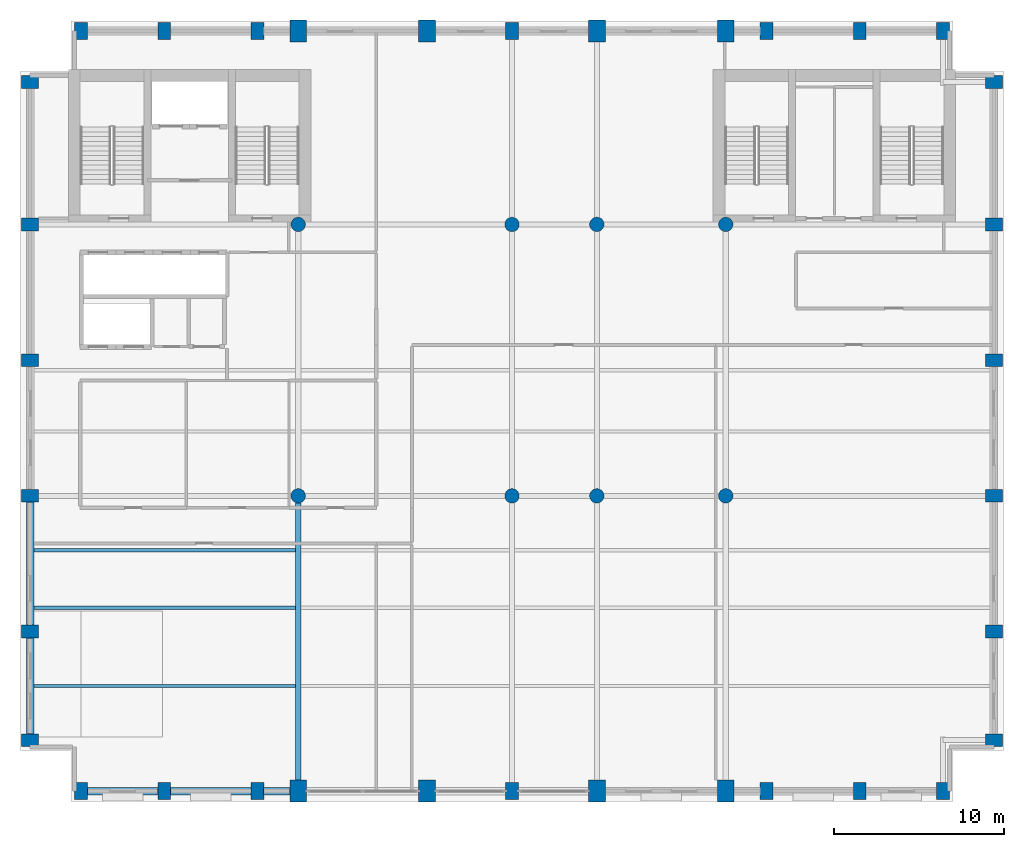
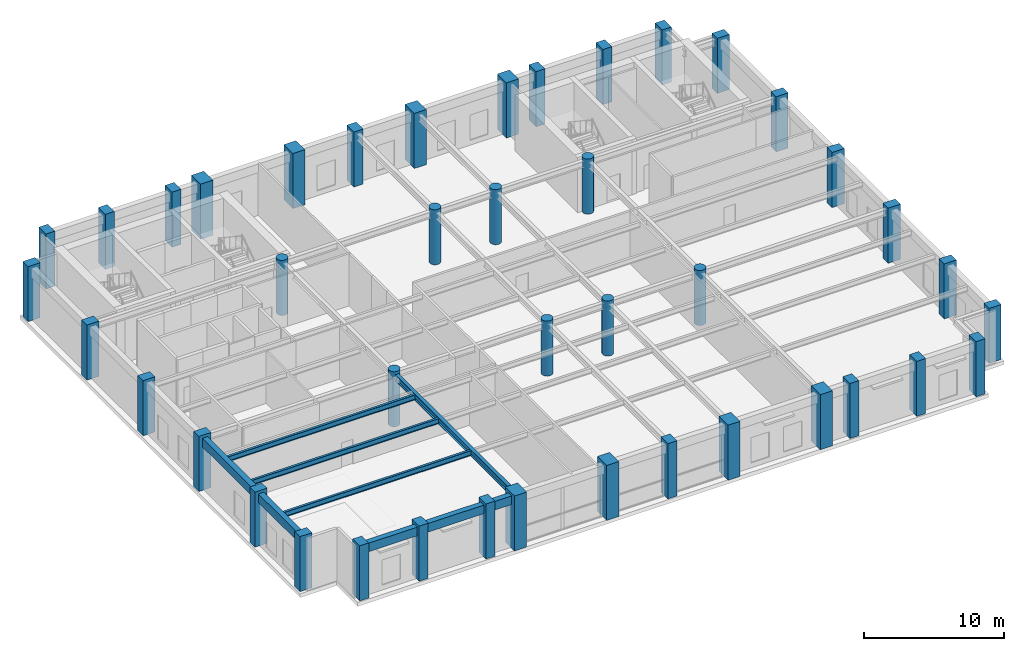
# One storey, part 1 of 10: 42 columns, 9 beams.
"""IFC4 building model written with IfcOpenShell, lengths in metres."""

import ifcopenshell
import ifcopenshell.guid

model = None  # the IFC model being written
_history = None  # IfcOwnerHistory: only IFC2X3 demands one
_inside = {}  # id of a spatial element -> (the spatial element, [elements in it])
_under = {}  # id of a project, library or spatial element -> (it, [spatial elements below it])
_declared = {}  # id of a project -> (the project, [libraries it declares])
_typed = {}  # id of a type object -> (the type object, [elements of that type])
_made_of = {}  # id of a material, layer set ... -> (it, [elements and type objects made of it])


def new_model(schema):
    """Start an empty IFC model of exactly this schema.

    Asked for "IFC4X3", IfcOpenShell would pick the latest addendum, in which some entities
    have other attributes; the version numbers below select the first issue.
    IFC2X3 requires an IfcOwnerHistory on every rooted entity: one is made here for all.
    """
    global model, _history
    if schema == "IFC4X3":
        model = ifcopenshell.file(schema_version=(4, 3, 0, 0))
    else:
        model = ifcopenshell.file(schema=schema)
    _inside.clear()
    _under.clear()
    _declared.clear()
    _typed.clear()
    _made_of.clear()
    _history = None
    if model.schema == "IFC2X3":
        org = make("IfcOrganization", Name="unknown")
        user = make(
            "IfcPersonAndOrganization",
            ThePerson=make("IfcPerson", FamilyName="unknown"),
            TheOrganization=org,
        )
        app = make(
            "IfcApplication",
            ApplicationDeveloper=org,
            Version="unknown",
            ApplicationFullName="unknown",
            ApplicationIdentifier="unknown",
        )
        _history = make(
            "IfcOwnerHistory",
            OwningUser=user,
            OwningApplication=app,
            ChangeAction="ADDED",
            CreationDate=0,
        )
    return model


def make(cls, **values):
    """One entity of the class cls with the attributes given. An attribute that is None is left unset."""
    return model.create_entity(
        cls, **{name: value for name, value in values.items() if value is not None}
    )


def rooted(cls, **values):
    """An entity with a GlobalId (a new one), such as an element, a storey or a relation."""
    return make(cls, GlobalId=ifcopenshell.guid.new(), OwnerHistory=_history, **values)


def si_unit(unit_type, name, prefix=None):
    """IfcSIUnit, for example si_unit("LENGTHUNIT", "METRE", prefix="MILLI")."""
    return make("IfcSIUnit", UnitType=unit_type, Prefix=prefix, Name=name)


def assignment(units):
    """IfcUnitAssignment: the units of a project."""
    return None if units is None else make("IfcUnitAssignment", Units=units)


def point(xyz):
    """IfcCartesianPoint."""
    return None if xyz is None else make("IfcCartesianPoint", Coordinates=xyz)


def direction(xyz):
    """IfcDirection."""
    return None if xyz is None else make("IfcDirection", DirectionRatios=xyz)


def frame(location, z_axis=None, x_axis=None):
    """IfcAxis2Placement3D, a coordinate frame: its origin and axes. An axis left out is left unset."""
    return make(
        "IfcAxis2Placement3D",
        Location=point(location),
        Axis=direction(z_axis),
        RefDirection=direction(x_axis),
    )


def frame_2d(location, x_axis=None):
    """IfcAxis2Placement2D, a coordinate frame in the plane: its origin and x axis."""
    return make(
        "IfcAxis2Placement2D", Location=point(location), RefDirection=direction(x_axis)
    )


def origin():
    """The frame at (0, 0, 0) with its axes left unset."""
    return frame((0.0, 0.0, 0.0))


def origin_2d():
    """The frame at (0, 0) in the plane with its x axis left unset."""
    return frame_2d((0.0, 0.0))


def place(relative_to, where):
    """IfcLocalPlacement: puts the frame where relative to a parent placement (None: the world)."""
    return make(
        "IfcLocalPlacement", PlacementRelTo=relative_to, RelativePlacement=where
    )


def context(
    kind, dimensions, precision=None, world=None, true_north=None, identifier=None
):
    """IfcGeometricRepresentationContext, for example the 3D "Model" context."""
    return make(
        "IfcGeometricRepresentationContext",
        ContextIdentifier=identifier,
        ContextType=kind,
        CoordinateSpaceDimension=dimensions,
        Precision=precision,
        WorldCoordinateSystem=world,
        TrueNorth=true_north,
    )


def subcontext(parent, identifier, kind, view, scale=None):
    """IfcGeometricRepresentationSubContext, for example "Body" below "Model"."""
    return make(
        "IfcGeometricRepresentationSubContext",
        ContextIdentifier=identifier,
        ContextType=kind,
        ParentContext=parent,
        TargetScale=scale,
        TargetView=view,
    )


def project(units=None, contexts=None):
    """IfcProject with its units and contexts."""
    return rooted(
        "IfcProject",
        Name="project",
        RepresentationContexts=contexts,
        UnitsInContext=assignment(units),
    )


def spatial(cls, under=None, at=None, **own):
    """A site, building, storey or space (cls), placed at a placement, below another one or the project."""
    s = rooted(cls, ObjectPlacement=at, **own)
    if under is not None:
        _under.setdefault(under.id(), (under, []))[1].append(s)
    return s


def profile(cls, at=None, kind="AREA", **sizes):
    """A parametric profile (cls). Its sizes go by their IFC names, for example OverallWidth=200.0."""
    return make(cls, ProfileType=kind, Position=at, **sizes)


def rectangle(**sizes):
    """IfcRectangleProfileDef."""
    return profile("IfcRectangleProfileDef", **sizes)


def circle(**sizes):
    """IfcCircleProfileDef."""
    return profile("IfcCircleProfileDef", **sizes)


def i_section(**sizes):
    """IfcIShapeProfileDef."""
    return profile("IfcIShapeProfileDef", **sizes)


def extrude(swept, where, along, depth):
    """IfcExtrudedAreaSolid: the profile swept, set in the frame where, extruded along a direction by depth."""
    return make(
        "IfcExtrudedAreaSolid",
        SweptArea=swept,
        Position=where,
        ExtrudedDirection=direction(along),
        Depth=depth,
    )


def shape(context_of_items, identifier, shape_type, items):
    """IfcShapeRepresentation: the items that make up one representation, for example the "Body"."""
    return make(
        "IfcShapeRepresentation",
        ContextOfItems=context_of_items,
        RepresentationIdentifier=identifier,
        RepresentationType=shape_type,
        Items=items,
    )


def material(Name=None, Category=None):
    """IfcMaterial."""
    return make("IfcMaterial", Name=Name, Category=Category)


def material_profile(
    of_material, cross_section, Name=None, Category=None, Priority=None
):
    """IfcMaterialProfile: a cross section and its material."""
    return make(
        "IfcMaterialProfile",
        Name=Name,
        Material=of_material,
        Profile=cross_section,
        Priority=Priority,
        Category=Category,
    )


def profile_set(profiles, Name=None, composite=None):
    """IfcMaterialProfileSet."""
    return make(
        "IfcMaterialProfileSet",
        Name=Name,
        MaterialProfiles=profiles,
        CompositeProfile=composite,
    )


def made_of(thing, what):
    """Note that an element or type object is made of a material, layer set ...; save() writes the relation."""
    if what is not None:
        _made_of.setdefault(what.id(), (what, []))[1].append(thing)
    return thing


def type_object(cls, material=None, **own):
    """A type object (cls), such as IfcWallType, which elements share."""
    return made_of(rooted(cls, **own), material)


def element(
    cls,
    number,
    at=None,
    inside=None,
    cuts=None,
    type_object=None,
    material=None,
    context=None,
    identifier="Body",
    shape_type=None,
    held_by="IfcProductDefinitionShape",
    body=None,
    shapes=None,
    **own,
):
    """One element of the class cls, such as IfcWall. Its Tag is "e" and its number.

    at: its placement. inside: the storey or other place that contains it. cuts: it is an
    opening in that element (IfcRelVoidsElement). A single representation is given by context,
    identifier, shape_type and body (its items); several are given by shapes. held_by: the class
    of the entity that holds the representations. save() writes the other relations.
    """
    e = rooted(cls, Tag="e%d" % number, ObjectPlacement=at, **own)
    if body is not None:
        shapes = [shape(context, identifier, shape_type, body)]
    if shapes is not None:
        e.Representation = make(held_by, Representations=shapes)
    if inside is not None:
        _inside.setdefault(inside.id(), (inside, []))[1].append(e)
    if cuts is not None:
        rooted(
            "IfcRelVoidsElement", RelatingBuildingElement=cuts, RelatedOpeningElement=e
        )
    if type_object is not None:
        _typed.setdefault(type_object.id(), (type_object, []))[1].append(e)
    return made_of(e, material)


def aggregate(whole, parts):
    """IfcRelAggregates: a whole, such as a stair, and the parts it consists of."""
    return rooted("IfcRelAggregates", RelatingObject=whole, RelatedObjects=parts)


def save(model, path):
    """Write the relations noted so far, then the file.

    IfcRelAggregates (storeys below a building ...), IfcRelContainedInSpatialStructure (elements
    in a storey), IfcRelDefinesByType, IfcRelAssociatesMaterial and IfcRelDeclares: one each for
    every whole, place, type object, material and project.
    """
    for whole, parts in _under.values():
        aggregate(whole, parts)
    for where, things in _inside.values():
        rooted(
            "IfcRelContainedInSpatialStructure",
            RelatedElements=things,
            RelatingStructure=where,
        )
    for kind, things in _typed.values():
        rooted("IfcRelDefinesByType", RelatedObjects=things, RelatingType=kind)
    for what, things in _made_of.values():
        rooted("IfcRelAssociatesMaterial", RelatedObjects=things, RelatingMaterial=what)
    for by, libraries in _declared.values():
        rooted("IfcRelDeclares", RelatingContext=by, RelatedDefinitions=libraries)
    model.write(path)


model = new_model("IFC4")

# Units and contexts
model_context = context("Model", 3, precision=1e-05, world=origin(), true_north=direction((0.0, 1.0)))
body_context = subcontext(model_context, "Body", "Model", "MODEL_VIEW")
ifc_project = project(units=[si_unit("LENGTHUNIT", "METRE"), si_unit("AREAUNIT", "SQUARE_METRE"), si_unit("VOLUMEUNIT", "CUBIC_METRE"), si_unit("PLANEANGLEUNIT", "RADIAN"), si_unit("MASSUNIT", "GRAM", prefix="KILO")], contexts=[model_context])

# Site, building, storey
site_placement = place(None, origin())
site = spatial("IfcSite", under=ifc_project, at=site_placement, CompositionType="ELEMENT")
building_placement = place(site_placement, origin())
building = spatial("IfcBuilding", under=site, at=building_placement, Name="Sulina Concourse Tower", CompositionType="ELEMENT")
storey_placement = place(building_placement, frame((0.0, 0.0, 243.800048828125)))
storey = spatial("IfcBuildingStorey", under=building, at=storey_placement, Name="L59", CompositionType="ELEMENT", Elevation=243.800048828125)

# Columns
ifc_material_1 = material(Name="Precast concrete C50/60", Category="concrete")
ifc_material_profile_1 = material_profile(ifc_material_1, rectangle(XDim=0.75, YDim=1.0, at=origin_2d()), Name="PC 750x1000")
ifc_profile_set_1 = profile_set([ifc_material_profile_1], Name="Precast concrete C50/60")
column_type_1 = type_object("IfcColumnType", Name="Precast Tube Pier Zone 4 750x1000", PredefinedType="COLUMN", material=ifc_profile_set_1)
for number, where, z_axis, x_axis, name in (
    (1, (3.60009765625, 0.60009765625, 0.0), (0.0, 0.0, 1.0), (1.0, 0.0, 0.0), "L59 structural column TP-S-36"),
    (2, (3.60009765625, 45.39990234375, 0.0), (0.0, 0.0, 1.0), (1.0, 0.0, 0.0), "L59 structural column TP-N-36"),
    (3, (8.5, 0.60009765625, 0.0), (0.0, 0.0, 1.0), (1.0, 0.0, 0.0), "L59 structural column TP-S-85"),
    (4, (8.5, 45.39990234375, 0.0), (0.0, 0.0, 1.0), (1.0, 0.0, 0.0), "L59 structural column TP-N-85"),
    (5, (14.0, 0.60009765625, 0.0), (0.0, 0.0, 1.0), (1.0, 0.0, 0.0), "L59 structural column TP-S-140"),
    (6, (14.0, 45.39990234375, 0.0), (0.0, 0.0, 1.0), (1.0, 0.0, 0.0), "L59 structural column TP-N-140"),
    (7, (29.0, 0.60009765625, 0.0), (0.0, 0.0, 1.0), (1.0, 0.0, 0.0), "L59 structural column TP-S-290"),
    (8, (29.0, 45.39990234375, 0.0), (0.0, 0.0, 1.0), (1.0, 0.0, 0.0), "L59 structural column TP-N-290"),
    (9, (44.0, 0.60009765625, 0.0), (0.0, 0.0, 1.0), (1.0, 0.0, 0.0), "L59 structural column TP-S-440"),
    (10, (44.0, 45.39990234375, 0.0), (0.0, 0.0, 1.0), (1.0, 0.0, 0.0), "L59 structural column TP-N-440"),
    (11, (49.5, 0.60009765625, 0.0), (0.0, 0.0, 1.0), (1.0, 0.0, 0.0), "L59 structural column TP-S-495"),
    (12, (49.5, 45.39990234375, 0.0), (0.0, 0.0, 1.0), (1.0, 0.0, 0.0), "L59 structural column TP-N-495"),
    (13, (54.39990234375, 0.60009765625, 0.0), (0.0, 0.0, 1.0), (1.0, 0.0, 0.0), "L59 structural column TP-S-544"),
    (14, (54.39990234375, 45.39990234375, 0.0), (0.0, 0.0, 1.0), (1.0, 0.0, 0.0), "L59 structural column TP-N-544"),
    (15, (0.60009765625, 3.60009765625, 0.0), (0.0, 0.0, 1.0), (0.0, 1.0, 0.0), "L59 structural column TP-W-36"),
    (16, (57.39990234375, 3.60009765625, 0.0), (0.0, 0.0, 1.0), (0.0, 1.0, 0.0), "L59 structural column TP-E-36"),
    (17, (0.60009765625, 10.0, 0.0), (0.0, 0.0, 1.0), (0.0, 1.0, 0.0), "L59 structural column TP-W-100"),
    (18, (57.39990234375, 10.0, 0.0), (0.0, 0.0, 1.0), (0.0, 1.0, 0.0), "L59 structural column TP-E-100"),
    (19, (0.60009765625, 18.0, 0.0), (0.0, 0.0, 1.0), (0.0, 1.0, 0.0), "L59 structural column TP-W-180"),
    (20, (57.39990234375, 18.0, 0.0), (0.0, 0.0, 1.0), (0.0, 1.0, 0.0), "L59 structural column TP-E-180"),
    (21, (0.60009765625, 26.0, 0.0), (0.0, 0.0, 1.0), (0.0, 1.0, 0.0), "L59 structural column TP-W-260"),
    (22, (57.39990234375, 26.0, 0.0), (0.0, 0.0, 1.0), (0.0, 1.0, 0.0), "L59 structural column TP-E-260"),
    (23, (0.60009765625, 34.0, 0.0), (0.0, 0.0, 1.0), (0.0, 1.0, 0.0), "L59 structural column TP-W-340"),
    (24, (57.39990234375, 34.0, 0.0), (0.0, 0.0, 1.0), (0.0, 1.0, 0.0), "L59 structural column TP-E-340"),
    (25, (0.60009765625, 42.39990234375, 0.0), (0.0, 0.0, 1.0), (0.0, 1.0, 0.0), "L59 structural column TP-W-424"),
    (26, (57.39990234375, 42.39990234375, 0.0), (0.0, 0.0, 1.0), (0.0, 1.0, 0.0), "L59 structural column TP-E-424"),
):
    element("IfcColumn", number, at=place(storey_placement, frame(where, z_axis=z_axis, x_axis=x_axis)), inside=storey, type_object=column_type_1, Name=name, PredefinedType="COLUMN", context=body_context, shape_type="SweptSolid", body=[
        extrude(rectangle(XDim=0.75, YDim=1.0, at=origin_2d()), origin(), (0.0, 0.0, 1.0), 4.800048828125),
    ])
ifc_material_2 = material(Name="Concrete C50/60", Category="concrete")
ifc_material_profile_2 = material_profile(ifc_material_2, circle(Radius=0.425048828125, at=origin_2d()), Name="RC D850")
ifc_profile_set_2 = profile_set([ifc_material_profile_2], Name="Concrete C50/60")
column_type_2 = type_object("IfcColumnType", Name="Upper Interior Circular Column D850", PredefinedType="COLUMN", material=ifc_profile_set_2)
for number, where, z_axis, x_axis, name in (
    (27, (16.39990234375, 18.0, 0.0), (0.0, 0.0, 1.0), (1.0, 0.0, 0.0), "L59 structural column IC-M-164"),
    (28, (16.39990234375, 34.0, 0.0), (0.0, 0.0, 1.0), (1.0, 0.0, 0.0), "L59 structural column IC-N-164"),
    (29, (29.0, 18.0, 0.0), (0.0, 0.0, 1.0), (1.0, 0.0, 0.0), "L59 structural column IC-M-290"),
    (30, (29.0, 34.0, 0.0), (0.0, 0.0, 1.0), (1.0, 0.0, 0.0), "L59 structural column IC-N-290"),
    (31, (41.60009765625, 18.0, 0.0), (0.0, 0.0, 1.0), (1.0, 0.0, 0.0), "L59 structural column IC-M-416"),
    (32, (41.60009765625, 34.0, 0.0), (0.0, 0.0, 1.0), (1.0, 0.0, 0.0), "L59 structural column IC-N-416"),
    (33, (34.0, 18.0, 0.0), (0.0, 0.0, 1.0), (1.0, 0.0, 0.0), "L59 structural column IC-M-340"),
    (34, (34.0, 34.0, 0.0), (0.0, 0.0, 1.0), (1.0, 0.0, 0.0), "L59 structural column IC-N-340"),
):
    element("IfcColumn", number, at=place(storey_placement, frame(where, z_axis=z_axis, x_axis=x_axis)), inside=storey, type_object=column_type_2, Name=name, PredefinedType="COLUMN", context=body_context, shape_type="SweptSolid", body=[
        extrude(circle(Radius=0.425048828125, at=origin_2d()), origin(), (0.0, 0.0, 1.0), 4.800048828125),
    ])
ifc_material_3 = material(Name="Concrete C60/75", Category="concrete")
ifc_material_profile_3 = material_profile(ifc_material_3, rectangle(XDim=1.0, YDim=1.300048828125, at=origin_2d()), Name="RC 1000x1300")
ifc_profile_set_3 = profile_set([ifc_material_profile_3], Name="Concrete C60/75")
column_type_3 = type_object("IfcColumnType", Name="Upper Portal Column 1000x1300", PredefinedType="COLUMN", material=ifc_profile_set_3)
for number, where, z_axis, x_axis, name in (
    (35, (16.39990234375, 0.60009765625, 0.0), (0.0, 0.0, 1.0), (1.0, 0.0, 0.0), "L59 structural column TP-S-164"),
    (36, (16.39990234375, 45.39990234375, 0.0), (0.0, 0.0, 1.0), (1.0, 0.0, 0.0), "L59 structural column TP-N-164"),
    (37, (24.0, 0.60009765625, 0.0), (0.0, 0.0, 1.0), (1.0, 0.0, 0.0), "L59 structural column TP-S-240"),
    (38, (24.0, 45.39990234375, 0.0), (0.0, 0.0, 1.0), (1.0, 0.0, 0.0), "L59 structural column TP-N-240"),
    (39, (34.0, 0.60009765625, 0.0), (0.0, 0.0, 1.0), (1.0, 0.0, 0.0), "L59 structural column TP-S-340"),
    (40, (34.0, 45.39990234375, 0.0), (0.0, 0.0, 1.0), (1.0, 0.0, 0.0), "L59 structural column TP-N-340"),
    (41, (41.60009765625, 0.60009765625, 0.0), (0.0, 0.0, 1.0), (1.0, 0.0, 0.0), "L59 structural column TP-S-416"),
    (42, (41.60009765625, 45.39990234375, 0.0), (0.0, 0.0, 1.0), (1.0, 0.0, 0.0), "L59 structural column TP-N-416"),
):
    element("IfcColumn", number, at=place(storey_placement, frame(where, z_axis=z_axis, x_axis=x_axis)), inside=storey, type_object=column_type_3, Name=name, PredefinedType="COLUMN", context=body_context, shape_type="SweptSolid", body=[
        extrude(rectangle(XDim=1.0, YDim=1.300048828125, at=origin_2d()), origin(), (0.0, 0.0, 1.0), 4.800048828125),
    ])

# Beams
ifc_material_4 = material(Name="Steel S355", Category="steel")
ifc_material_profile_4 = material_profile(ifc_material_4, i_section(OverallWidth=0.18994140625, OverallDepth=0.449951171875, WebThickness=0.009521484375, FlangeThickness=0.0146484375, at=origin_2d()), Name="IPE 450")
ifc_profile_set_4 = profile_set([ifc_material_profile_4], Name="Steel S355")
beam_type_1 = type_object("IfcBeamType", Name="Composite Floor Joist IPE450", PredefinedType="JOIST", material=ifc_profile_set_4)
for number, where, z_axis, x_axis, name in (
    (43, (0.824951171875, 6.800048828125, 4.324951171875), (1.0, 0.0, 0.0), (0.0, 1.0, 0.0), "FJ-J06-1-L59"),
    (44, (0.824951171875, 11.39990234375, 4.324951171875), (1.0, 0.0, 0.0), (0.0, 1.0, 0.0), "FJ-J11-1-L59"),
    (45, (0.824951171875, 14.800048828125, 4.324951171875), (1.0, 0.0, 0.0), (0.0, 1.0, 0.0), "FJ-J15-1-L59"),
):
    element("IfcBeam", number, at=place(storey_placement, frame(where, z_axis=z_axis, x_axis=x_axis)), inside=storey, type_object=beam_type_1, Name=name, PredefinedType="JOIST", context=body_context, shape_type="SweptSolid", body=[
        extrude(i_section(OverallWidth=0.18994140625, OverallDepth=0.449951171875, WebThickness=0.009521484375, FlangeThickness=0.0146484375, at=origin_2d()), origin(), (0.0, 0.0, 1.0), 15.425048828125),
    ])
ifc_material_5 = material(Name="Steel S355", Category="steel")
ifc_material_profile_5 = material_profile(ifc_material_5, i_section(OverallWidth=0.300048828125, OverallDepth=0.550048828125, WebThickness=0.014892578125, FlangeThickness=0.029052734375, at=origin_2d()), Name="HE 550 B")
ifc_profile_set_5 = profile_set([ifc_material_profile_5], Name="Steel S355")
beam_type_2 = type_object("IfcBeamType", Name="Floor Primary Girder Zone 4 HE550B", PredefinedType="BEAM", material=ifc_profile_set_5)
beam_1_placement = place(storey_placement, frame((16.39990234375, 1.080078125, 4.27490234375), z_axis=(0.0, 1.0, 0.0), x_axis=(-1.0, 0.0, 0.0)))
element("IfcBeam", 46, at=beam_1_placement, inside=storey, type_object=beam_type_2, Name="FG-NSA-16-L59", PredefinedType="BEAM", context=body_context, shape_type="SweptSolid", body=[
    extrude(i_section(OverallWidth=0.300048828125, OverallDepth=0.550048828125, WebThickness=0.014892578125, FlangeThickness=0.029052734375, at=origin_2d()), origin(), (0.0, 0.0, 1.0), 16.514892578125),
])
ifc_material_6 = material(Name="Precast concrete C50/60", Category="concrete")
ifc_material_profile_6 = material_profile(ifc_material_6, rectangle(XDim=0.449951171875, YDim=0.75, at=origin_2d()), Name="RC 450x750")
ifc_profile_set_6 = profile_set([ifc_material_profile_6], Name="Precast concrete C50/60")
beam_type_3 = type_object("IfcBeamType", Name="Upper Precast Spandrel Edge Beam 450x750", PredefinedType="BEAM", material=ifc_profile_set_6)
beam_2_placement = place(storey_placement, frame((3.955078125, 0.60009765625, 4.175048828125), z_axis=(1.0, 0.0, 0.0), x_axis=(0.0, 1.0, 0.0)))
element("IfcBeam", 47, at=beam_2_placement, inside=storey, type_object=beam_type_3, Name="SP-S1-L59", PredefinedType="BEAM", context=body_context, shape_type="SweptSolid", body=[
    extrude(rectangle(XDim=0.449951171875, YDim=0.75, at=origin_2d()), origin(), (0.0, 0.0, 1.0), 4.18994140625),
])
beam_3_placement = place(storey_placement, frame((8.85498046875, 0.60009765625, 4.175048828125), z_axis=(1.0, 0.0, 0.0), x_axis=(0.0, 1.0, 0.0)))
element("IfcBeam", 48, at=beam_3_placement, inside=storey, type_object=beam_type_3, Name="SP-S2-L59", PredefinedType="BEAM", context=body_context, shape_type="SweptSolid", body=[
    extrude(rectangle(XDim=0.449951171875, YDim=0.75, at=origin_2d()), origin(), (0.0, 0.0, 1.0), 4.7900390625),
])
beam_4_placement = place(storey_placement, frame((14.35498046875, 0.60009765625, 4.175048828125), z_axis=(1.0, 0.0, 0.0), x_axis=(0.0, 1.0, 0.0)))
element("IfcBeam", 49, at=beam_4_placement, inside=storey, type_object=beam_type_3, Name="SP-S3-L59", PredefinedType="BEAM", context=body_context, shape_type="SweptSolid", body=[
    extrude(rectangle(XDim=0.449951171875, YDim=0.75, at=origin_2d()), origin(), (0.0, 0.0, 1.0), 1.56494140625),
])
beam_5_placement = place(storey_placement, frame((0.60009765625, 3.955078125, 4.175048828125), z_axis=(0.0, 1.0, 0.0), x_axis=(-1.0, 0.0, 0.0)))
element("IfcBeam", 50, at=beam_5_placement, inside=storey, type_object=beam_type_3, Name="SP-W1-L59", PredefinedType="BEAM", context=body_context, shape_type="SweptSolid", body=[
    extrude(rectangle(XDim=0.449951171875, YDim=0.75, at=origin_2d()), origin(), (0.0, 0.0, 1.0), 5.68994140625),
])
beam_6_placement = place(storey_placement, frame((0.60009765625, 10.35498046875, 4.175048828125), z_axis=(0.0, 1.0, 0.0), x_axis=(-1.0, 0.0, 0.0)))
element("IfcBeam", 51, at=beam_6_placement, inside=storey, type_object=beam_type_3, Name="SP-W2-L59", PredefinedType="BEAM", context=body_context, shape_type="SweptSolid", body=[
    extrude(rectangle(XDim=0.449951171875, YDim=0.75, at=origin_2d()), origin(), (0.0, 0.0, 1.0), 7.2900390625),
])

save(model, "model.ifc")
